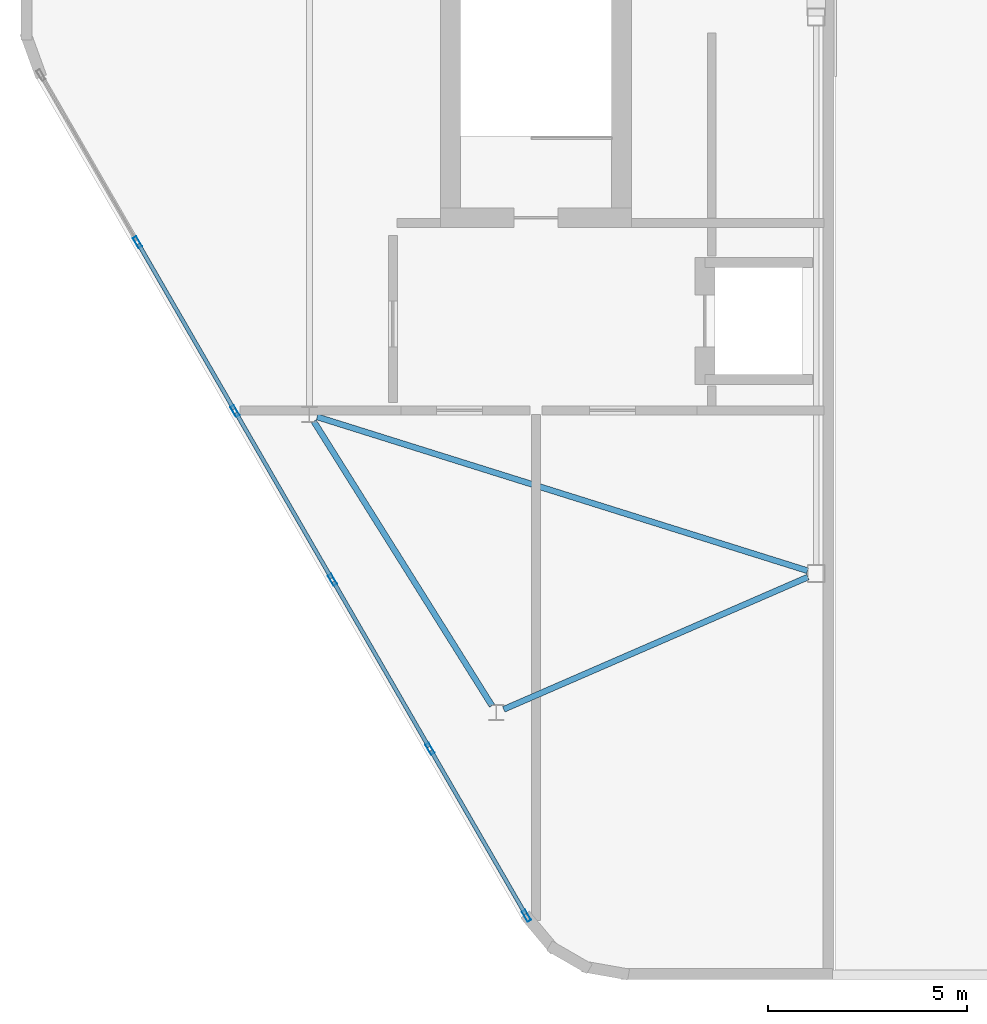
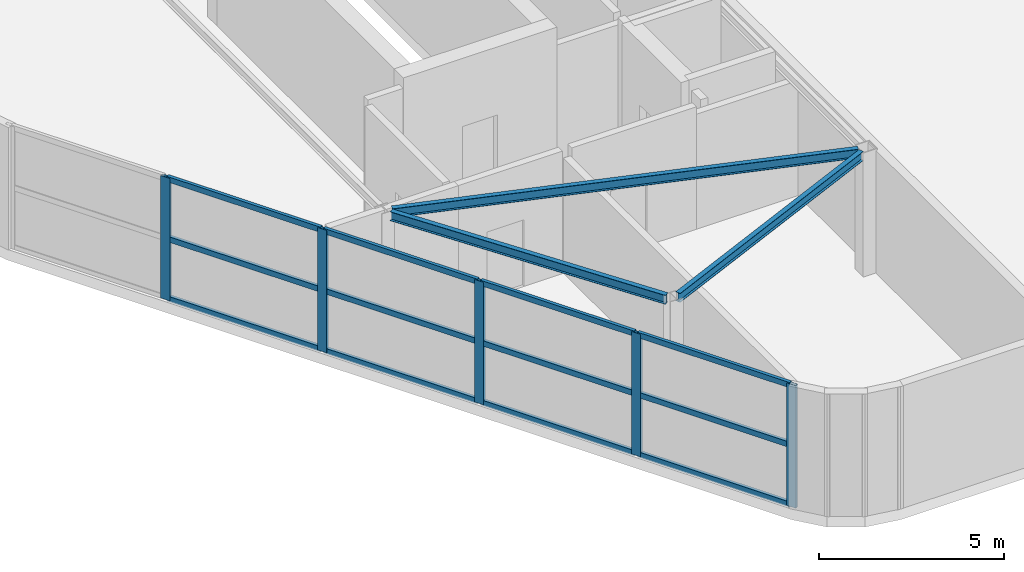
# One storey, part 3 of 14: 17 members, 3 beams, 1 element without a shape of its own.
"""IFC4 building model written with IfcOpenShell, lengths in metres."""

from ifc_helpers import new_model, si_unit, direction, frame, origin, origin_2d, place, context, subcontext, project, spatial, hollow_rectangle, i_section, extrude, material, material_profile, profile_set, type_object, element, aggregate, save


model = new_model("IFC4")

# Units and contexts
model_context = context("Model", 3, precision=1e-05, world=origin(), true_north=direction((0.0, 1.0)))
body_context = subcontext(model_context, "Body", "Model", "MODEL_VIEW")
ifc_project = project(units=[si_unit("LENGTHUNIT", "METRE"), si_unit("AREAUNIT", "SQUARE_METRE"), si_unit("VOLUMEUNIT", "CUBIC_METRE"), si_unit("PLANEANGLEUNIT", "RADIAN"), si_unit("MASSUNIT", "GRAM", prefix="KILO")], contexts=[model_context])

# Site, building, storey
site_placement = place(None, origin())
site = spatial("IfcSite", under=ifc_project, at=site_placement, CompositionType="ELEMENT")
building_placement = place(site_placement, origin())
building = spatial("IfcBuilding", under=site, at=building_placement, Name="Zuhravey Tower", CompositionType="ELEMENT")
storey_placement = place(building_placement, frame((0.0, 0.0, 379.0)))
storey = spatial("IfcBuildingStorey", under=building, at=storey_placement, Name="L96", CompositionType="ELEMENT", Elevation=379.0)

# Beams
ifc_material_1 = material(Name="Steel SM355", Category="steel")
ifc_material_profile_1 = material_profile(ifc_material_1, i_section(OverallWidth=0.14990234375, OverallDepth=0.300048828125, WebThickness=0.007080078125, FlangeThickness=0.010009765625, at=origin_2d()), Name="H-300x150x7x10")
ifc_profile_set_1 = profile_set([ifc_material_profile_1], Name="Steel SM355")
beam_type = type_object("IfcBeamType", Name="Crown Roof Purlin H300x150", PredefinedType="USERDEFINED", material=ifc_profile_set_1)
beam_1_placement = place(storey_placement, frame((15.908447265625, 21.8271484375, 3.949951171875), z_axis=(0.530996685116, -0.847373896457, 0.0), x_axis=(0.847373896457, 0.530996685116, 0.0)))
element("IfcBeam", 1, at=beam_1_placement, inside=storey, type_object=beam_type, Name="L96 CRP1 BM-L96-WCR-0-2", ObjectType="PURLIN", PredefinedType="USERDEFINED", context=body_context, shape_type="SweptSolid", body=[
    extrude(i_section(OverallWidth=0.14990234375, OverallDepth=0.300048828125, WebThickness=0.007080078125, FlangeThickness=0.010009765625, at=origin_2d()), origin(), (0.0, 0.0, 1.0), 8.44287109375),
])
beam_2_placement = place(storey_placement, frame((20.68701171875, 14.581298828125, 3.949951171875), z_axis=(0.91707145158, 0.398722902147, 0.0), x_axis=(-0.398722902147, 0.91707145158, 0.0)))
element("IfcBeam", 2, at=beam_2_placement, inside=storey, type_object=beam_type, Name="L96 CRP1 BM-L96-WCR-2-4", ObjectType="PURLIN", PredefinedType="USERDEFINED", context=body_context, shape_type="SweptSolid", body=[
    extrude(i_section(OverallWidth=0.14990234375, OverallDepth=0.300048828125, WebThickness=0.007080078125, FlangeThickness=0.010009765625, at=origin_2d()), origin(), (0.0, 0.0, 1.0), 8.34521484375),
])
beam_3_placement = place(storey_placement, frame((15.99462890625, 21.93896484375, 3.949951171875), z_axis=(0.954147439285, -0.299337040984, 0.0), x_axis=(0.299337040984, 0.954147439285, 0.0)))
element("IfcBeam", 3, at=beam_3_placement, inside=storey, type_object=beam_type, Name="L96 CRP1 BM-L96-WCR-0-4", ObjectType="PURLIN", PredefinedType="USERDEFINED", context=body_context, shape_type="SweptSolid", body=[
    extrude(i_section(OverallWidth=0.14990234375, OverallDepth=0.300048828125, WebThickness=0.007080078125, FlangeThickness=0.010009765625, at=origin_2d()), origin(), (0.0, 0.0, 1.0), 12.9296875),
])

# Curtain wall, members
ifc_material_2 = material(Name="Thermally broken anodised aluminium", Category="aluminium")
curtain_wall_type = type_object("IfcCurtainWallType", Name="Split-Top Crown Screened Curtain Wall CW6", PredefinedType="NOTDEFINED", material=ifc_material_2)
curtain_wall_placement = place(storey_placement, origin())
curtain_wall = element("IfcCurtainWall", 4, at=curtain_wall_placement, inside=storey, type_object=curtain_wall_type, Name="L96 CW6 CW6-L96-WEST-04", PredefinedType="NOTDEFINED")
ifc_material_3 = material(Name="Anodised aluminium", Category="aluminium")
ifc_material_profile_2 = material_profile(ifc_material_3, hollow_rectangle(XDim=0.10009765625, YDim=0.2900390625, WallThickness=0.006103515625, at=origin_2d()), Name="ALU-RHS-100x290x6")
ifc_profile_set_2 = profile_set([ifc_material_profile_2], Name="Anodised aluminium")
member_type_1 = type_object("IfcMemberType", Name="Heavy Tall-Storey Mullion 100x220", PredefinedType="MULLION", material=ifc_profile_set_2)
member_1_placement = place(storey_placement, frame((21.258544921875, 9.384765625, 0.0), z_axis=(0.0, 0.0, 1.0), x_axis=(-0.866027063754, -0.499997124838, 0.0)))
member_1 = element("IfcMember", 5, at=member_1_placement, type_object=member_type_1, Name="CW6 mullion 1", PredefinedType="MULLION", context=body_context, shape_type="SweptSolid", body=[
    extrude(hollow_rectangle(XDim=0.10009765625, YDim=0.2900390625, WallThickness=0.006103515625, at=origin_2d()), origin(), (0.0, 0.0, 1.0), 4.050048828125),
])
member_2_placement = place(storey_placement, frame((18.83056640625, 13.590087890625, 0.0), z_axis=(0.0, 0.0, 1.0), x_axis=(-0.866027063754, -0.499997124838, 0.0)))
member_2 = element("IfcMember", 6, at=member_2_placement, type_object=member_type_1, Name="CW6 mullion 2", PredefinedType="MULLION", context=body_context, shape_type="SweptSolid", body=[
    extrude(hollow_rectangle(XDim=0.10009765625, YDim=0.2900390625, WallThickness=0.006103515625, at=origin_2d()), origin(), (0.0, 0.0, 1.0), 4.050048828125),
])
member_3_placement = place(storey_placement, frame((16.377685546875, 17.838623046875, 0.0), z_axis=(0.0, 0.0, 1.0), x_axis=(-0.866027063754, -0.499997124838, 0.0)))
member_3 = element("IfcMember", 7, at=member_3_placement, type_object=member_type_1, Name="CW6 mullion 3", PredefinedType="MULLION", context=body_context, shape_type="SweptSolid", body=[
    extrude(hollow_rectangle(XDim=0.10009765625, YDim=0.2900390625, WallThickness=0.006103515625, at=origin_2d()), origin(), (0.0, 0.0, 1.0), 4.050048828125),
])
member_4_placement = place(storey_placement, frame((13.9248046875, 22.087158203125, 0.0), z_axis=(0.0, 0.0, 1.0), x_axis=(-0.866027063754, -0.499997124838, 0.0)))
member_4 = element("IfcMember", 8, at=member_4_placement, type_object=member_type_1, Name="CW6 mullion 4", PredefinedType="MULLION", context=body_context, shape_type="SweptSolid", body=[
    extrude(hollow_rectangle(XDim=0.10009765625, YDim=0.2900390625, WallThickness=0.006103515625, at=origin_2d()), origin(), (0.0, 0.0, 1.0), 4.050048828125),
])
member_5_placement = place(storey_placement, frame((11.471923828125, 26.3359375, 0.0), z_axis=(0.0, 0.0, 1.0), x_axis=(-0.866027063754, -0.499997124838, 0.0)))
member_5 = element("IfcMember", 9, at=member_5_placement, type_object=member_type_1, Name="CW6 mullion 5", PredefinedType="MULLION", context=body_context, shape_type="SweptSolid", body=[
    extrude(hollow_rectangle(XDim=0.10009765625, YDim=0.2900390625, WallThickness=0.006103515625, at=origin_2d()), origin(), (0.0, 0.0, 1.0), 4.050048828125),
])
ifc_material_profile_3 = material_profile(ifc_material_3, hollow_rectangle(XDim=0.10009765625, YDim=0.179931640625, WallThickness=0.006103515625, at=origin_2d()), Name="ALU-RHS-100x180x6")
ifc_profile_set_3 = profile_set([ifc_material_profile_3], Name="Anodised aluminium")
member_type_2 = type_object("IfcMemberType", Name="Tall-Storey Transom 100x180", PredefinedType="USERDEFINED", material=ifc_profile_set_3)
member_6_placement = place(storey_placement, frame((21.2333984375, 9.42822265625, 0.050048828125), z_axis=(-0.499965384433, 0.866045388169, 0.0), x_axis=(-0.866045388169, -0.499965384433, 0.0)))
member_6 = element("IfcMember", 10, at=member_6_placement, type_object=member_type_2, Name="CW6 transom 1.1", ObjectType="TRANSOM", PredefinedType="USERDEFINED", context=body_context, shape_type="SweptSolid", body=[
    extrude(hollow_rectangle(XDim=0.10009765625, YDim=0.179931640625, WallThickness=0.006103515625, at=origin_2d()), origin(), (0.0, 0.0, 1.0), 4.755615234375),
])
member_7_placement = place(storey_placement, frame((21.2333984375, 9.42822265625, 2.02490234375), z_axis=(-0.499965384433, 0.866045388169, 0.0), x_axis=(-0.866045388169, -0.499965384433, 0.0)))
member_7 = element("IfcMember", 11, at=member_7_placement, type_object=member_type_2, Name="CW6 transom 1.2", ObjectType="TRANSOM", PredefinedType="USERDEFINED", context=body_context, shape_type="SweptSolid", body=[
    extrude(hollow_rectangle(XDim=0.10009765625, YDim=0.179931640625, WallThickness=0.006103515625, at=origin_2d()), origin(), (0.0, 0.0, 1.0), 4.755615234375),
])
member_8_placement = place(storey_placement, frame((21.2333984375, 9.42822265625, 4.0), z_axis=(-0.499965384433, 0.866045388169, 0.0), x_axis=(-0.866045388169, -0.499965384433, 0.0)))
member_8 = element("IfcMember", 12, at=member_8_placement, type_object=member_type_2, Name="CW6 transom 1.3", ObjectType="TRANSOM", PredefinedType="USERDEFINED", context=body_context, shape_type="SweptSolid", body=[
    extrude(hollow_rectangle(XDim=0.10009765625, YDim=0.179931640625, WallThickness=0.006103515625, at=origin_2d()), origin(), (0.0, 0.0, 1.0), 4.755615234375),
])
member_9_placement = place(storey_placement, frame((18.8056640625, 13.63330078125, 0.050048828125), z_axis=(-0.500012672123, 0.866018087407, 0.0), x_axis=(-0.866018087407, -0.500012672123, 0.0)))
member_9 = element("IfcMember", 13, at=member_9_placement, type_object=member_type_2, Name="CW6 transom 2.1", ObjectType="TRANSOM", PredefinedType="USERDEFINED", context=body_context, shape_type="SweptSolid", body=[
    extrude(hollow_rectangle(XDim=0.10009765625, YDim=0.179931640625, WallThickness=0.006103515625, at=origin_2d()), origin(), (0.0, 0.0, 1.0), 4.80615234375),
])
member_10_placement = place(storey_placement, frame((18.8056640625, 13.63330078125, 2.02490234375), z_axis=(-0.500012672123, 0.866018087407, 0.0), x_axis=(-0.866018087407, -0.500012672123, 0.0)))
member_10 = element("IfcMember", 14, at=member_10_placement, type_object=member_type_2, Name="CW6 transom 2.2", ObjectType="TRANSOM", PredefinedType="USERDEFINED", context=body_context, shape_type="SweptSolid", body=[
    extrude(hollow_rectangle(XDim=0.10009765625, YDim=0.179931640625, WallThickness=0.006103515625, at=origin_2d()), origin(), (0.0, 0.0, 1.0), 4.80615234375),
])
member_11_placement = place(storey_placement, frame((18.8056640625, 13.63330078125, 4.0), z_axis=(-0.500012672123, 0.866018087407, 0.0), x_axis=(-0.866018087407, -0.500012672123, 0.0)))
member_11 = element("IfcMember", 15, at=member_11_placement, type_object=member_type_2, Name="CW6 transom 2.3", ObjectType="TRANSOM", PredefinedType="USERDEFINED", context=body_context, shape_type="SweptSolid", body=[
    extrude(hollow_rectangle(XDim=0.10009765625, YDim=0.179931640625, WallThickness=0.006103515625, at=origin_2d()), origin(), (0.0, 0.0, 1.0), 4.80615234375),
])
member_12_placement = place(storey_placement, frame((16.352783203125, 17.882080078125, 0.050048828125), z_axis=(-0.50003466983, 0.866005386223, 0.0), x_axis=(-0.866005386223, -0.50003466983, 0.0)))
member_12 = element("IfcMember", 16, at=member_12_placement, type_object=member_type_2, Name="CW6 transom 3.1", ObjectType="TRANSOM", PredefinedType="USERDEFINED", context=body_context, shape_type="SweptSolid", body=[
    extrude(hollow_rectangle(XDim=0.10009765625, YDim=0.179931640625, WallThickness=0.006103515625, at=origin_2d()), origin(), (0.0, 0.0, 1.0), 4.805908203125),
])
member_13_placement = place(storey_placement, frame((16.352783203125, 17.882080078125, 2.02490234375), z_axis=(-0.50003466983, 0.866005386223, 0.0), x_axis=(-0.866005386223, -0.50003466983, 0.0)))
member_13 = element("IfcMember", 17, at=member_13_placement, type_object=member_type_2, Name="CW6 transom 3.2", ObjectType="TRANSOM", PredefinedType="USERDEFINED", context=body_context, shape_type="SweptSolid", body=[
    extrude(hollow_rectangle(XDim=0.10009765625, YDim=0.179931640625, WallThickness=0.006103515625, at=origin_2d()), origin(), (0.0, 0.0, 1.0), 4.805908203125),
])
member_14_placement = place(storey_placement, frame((16.352783203125, 17.882080078125, 4.0), z_axis=(-0.50003466983, 0.866005386223, 0.0), x_axis=(-0.866005386223, -0.50003466983, 0.0)))
member_14 = element("IfcMember", 18, at=member_14_placement, type_object=member_type_2, Name="CW6 transom 3.3", ObjectType="TRANSOM", PredefinedType="USERDEFINED", context=body_context, shape_type="SweptSolid", body=[
    extrude(hollow_rectangle(XDim=0.10009765625, YDim=0.179931640625, WallThickness=0.006103515625, at=origin_2d()), origin(), (0.0, 0.0, 1.0), 4.805908203125),
])
member_15_placement = place(storey_placement, frame((13.89990234375, 22.130615234375, 0.050048828125), z_axis=(-0.50003466983, 0.866005386223, 0.0), x_axis=(-0.866005386223, -0.50003466983, 0.0)))
member_15 = element("IfcMember", 19, at=member_15_placement, type_object=member_type_2, Name="CW6 transom 4.1", ObjectType="TRANSOM", PredefinedType="USERDEFINED", context=body_context, shape_type="SweptSolid", body=[
    extrude(hollow_rectangle(XDim=0.10009765625, YDim=0.179931640625, WallThickness=0.006103515625, at=origin_2d()), origin(), (0.0, 0.0, 1.0), 4.805908203125),
])
member_16_placement = place(storey_placement, frame((13.89990234375, 22.130615234375, 2.02490234375), z_axis=(-0.50003466983, 0.866005386223, 0.0), x_axis=(-0.866005386223, -0.50003466983, 0.0)))
member_16 = element("IfcMember", 20, at=member_16_placement, type_object=member_type_2, Name="CW6 transom 4.2", ObjectType="TRANSOM", PredefinedType="USERDEFINED", context=body_context, shape_type="SweptSolid", body=[
    extrude(hollow_rectangle(XDim=0.10009765625, YDim=0.179931640625, WallThickness=0.006103515625, at=origin_2d()), origin(), (0.0, 0.0, 1.0), 4.805908203125),
])
member_17_placement = place(storey_placement, frame((13.89990234375, 22.130615234375, 4.0), z_axis=(-0.50003466983, 0.866005386223, 0.0), x_axis=(-0.866005386223, -0.50003466983, 0.0)))
member_17 = element("IfcMember", 21, at=member_17_placement, type_object=member_type_2, Name="CW6 transom 4.3", ObjectType="TRANSOM", PredefinedType="USERDEFINED", context=body_context, shape_type="SweptSolid", body=[
    extrude(hollow_rectangle(XDim=0.10009765625, YDim=0.179931640625, WallThickness=0.006103515625, at=origin_2d()), origin(), (0.0, 0.0, 1.0), 4.805908203125),
])
aggregate(curtain_wall, [member_1, member_2, member_3, member_4, member_5, member_6, member_7, member_8, member_9, member_10, member_11, member_12, member_13, member_14, member_15, member_16, member_17])

save(model, "model.ifc")
